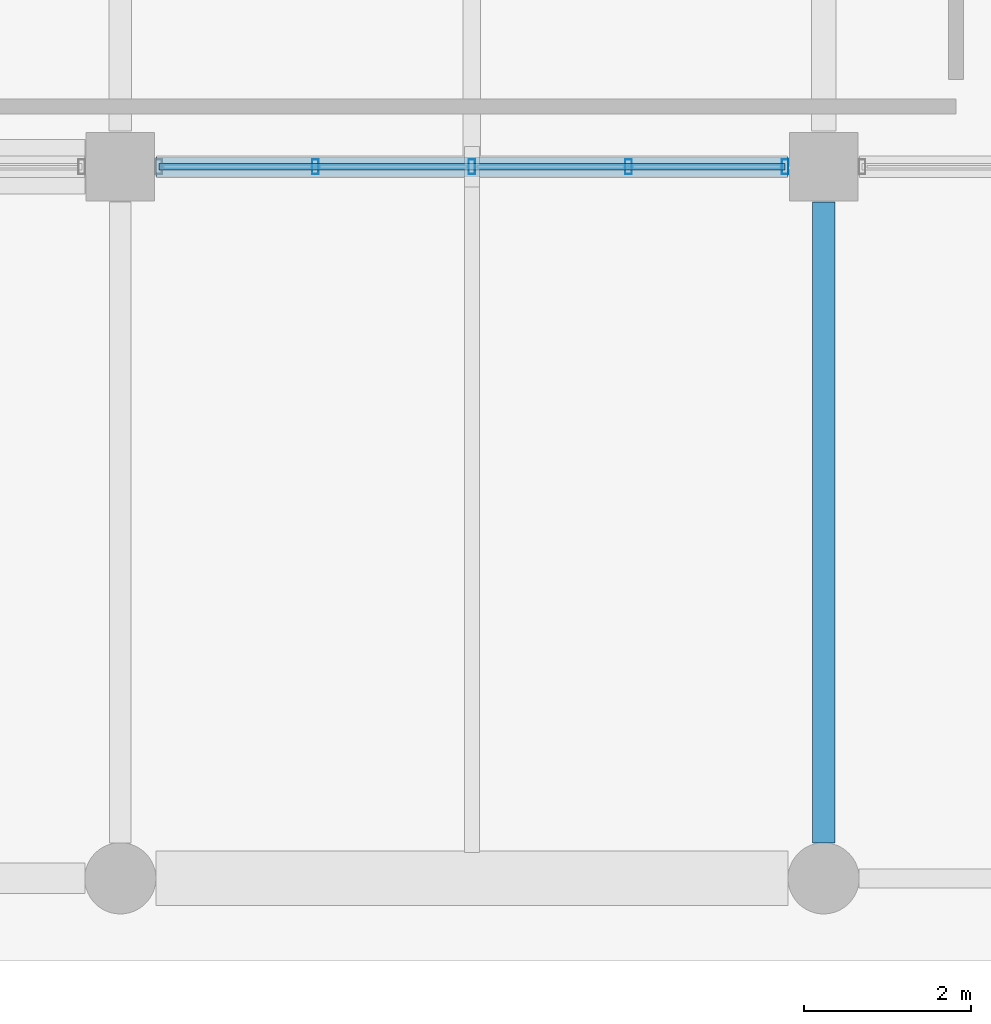
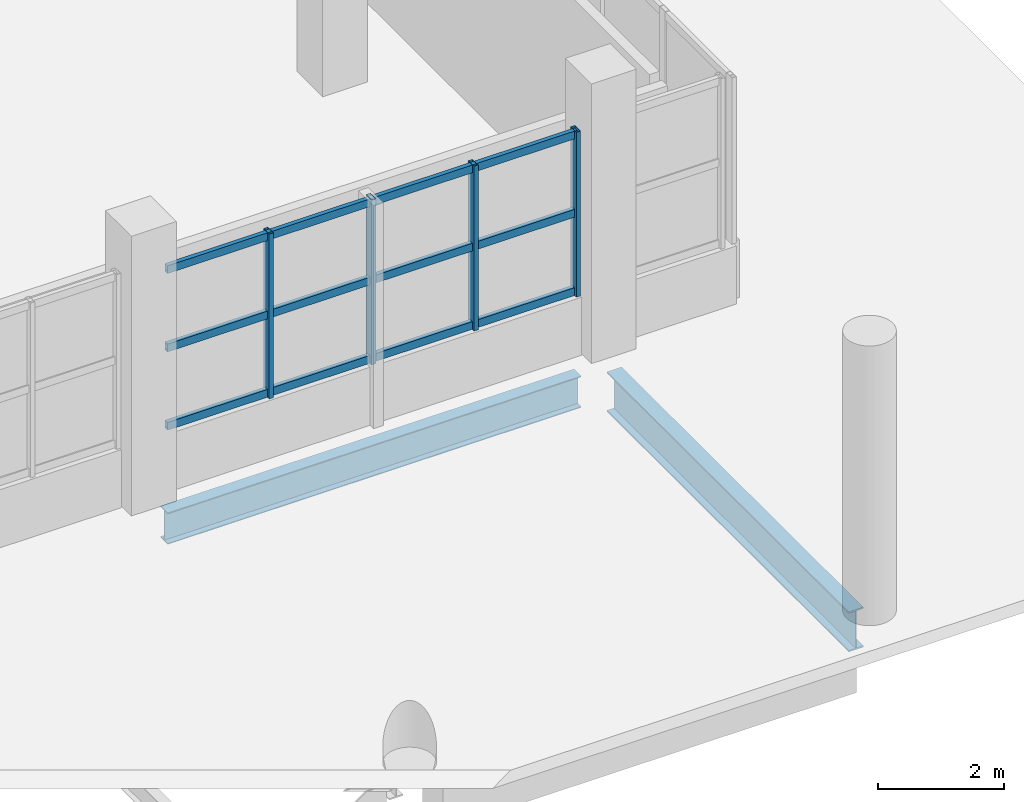
# One storey, part 20 of 107: 7 members, 2 beams, 1 element without a shape of its own.
"""IFC4 building model written with IfcOpenShell, lengths in metres."""

from ifc_helpers import new_model, si_unit, direction, frame, origin, origin_2d, place, context, subcontext, project, spatial, hollow_rectangle, i_section, extrude, material, material_profile, profile_set, type_object, element, aggregate, save


model = new_model("IFC4")

# Units and contexts
model_context = context("Model", 3, precision=1e-05, world=origin(), true_north=direction((0.0, 1.0)))
body_context = subcontext(model_context, "Body", "Model", "MODEL_VIEW")
ifc_project = project(units=[si_unit("LENGTHUNIT", "METRE"), si_unit("AREAUNIT", "SQUARE_METRE"), si_unit("VOLUMEUNIT", "CUBIC_METRE"), si_unit("PLANEANGLEUNIT", "RADIAN"), si_unit("MASSUNIT", "GRAM", prefix="KILO")], contexts=[model_context])

# Site, building, storey
site_placement = place(None, origin())
site = spatial("IfcSite", under=ifc_project, at=site_placement, CompositionType="ELEMENT")
building_placement = place(site_placement, origin())
building = spatial("IfcBuilding", under=site, at=building_placement, Name="Solvento Point Concert Hall", CompositionType="ELEMENT")
storey_placement = place(building_placement, origin())
storey = spatial("IfcBuildingStorey", under=building, at=storey_placement, Name="L00", CompositionType="ELEMENT", Elevation=0.0)

# Beams
ifc_material_1 = material(Name="Structural Steel ASTM A992 Grade 50", Category="steel")
ifc_material_profile_1 = material_profile(ifc_material_1, i_section(OverallWidth=0.228515625, OverallDepth=0.60791015625, WebThickness=0.01123046875, FlangeThickness=0.017333984375, at=origin_2d()), Name="W24X76")
ifc_profile_set_1 = profile_set([ifc_material_profile_1], Name="Structural Steel ASTM A992 Grade 50")
beam_type_1 = type_object("IfcBeamType", Name="Beam_W24X76", PredefinedType="BEAM", material=ifc_profile_set_1)
beam_1_placement = place(storey_placement, frame((7.6240234375, 110.5, -0.718017578125), z_axis=(1.0, 0.0, 0.0), x_axis=(0.0, 1.0, 0.0)))
element("IfcBeam", 1, at=beam_1_placement, inside=storey, type_object=beam_type_1, Name="Primary girder B-42 L00", PredefinedType="BEAM", context=body_context, shape_type="SweptSolid", body=[
    extrude(i_section(OverallWidth=0.228515625, OverallDepth=0.60791015625, WebThickness=0.01123046875, FlangeThickness=0.017333984375, at=origin_2d()), origin(), (0.0, 0.0, 1.0), 7.552001953125),
])
ifc_material_2 = material(Name="Structural Steel ASTM A992 Grade 50", Category="steel")
ifc_material_profile_2 = material_profile(ifc_material_2, i_section(OverallWidth=0.26806640625, OverallDepth=0.77001953125, WebThickness=0.015625, FlangeThickness=0.025390625, at=origin_2d()), Name="W30X132")
ifc_profile_set_2 = profile_set([ifc_material_profile_2], Name="Structural Steel ASTM A992 Grade 50")
beam_type_2 = type_object("IfcBeamType", Name="Girder_W30X132", PredefinedType="USERDEFINED", material=ifc_profile_set_2)
beam_2_placement = place(storey_placement, frame((15.60009765625, 102.424072265625, -0.62890625), z_axis=(0.0, 1.0, 0.0), x_axis=(-1.0, 0.0, 0.0)))
element("IfcBeam", 2, at=beam_2_placement, inside=storey, type_object=beam_type_2, Name="Primary girder B-68 L00", ObjectType="GIRDER", PredefinedType="USERDEFINED", context=body_context, shape_type="SweptSolid", body=[
    extrude(i_section(OverallWidth=0.26806640625, OverallDepth=0.77001953125, WebThickness=0.015625, FlangeThickness=0.025390625, at=origin_2d()), origin(), (0.0, 0.0, 1.0), 7.65185546875),
])

# Curtain wall, members
ifc_material_3 = material(Name="Anodized Bronze Aluminium", Category="aluminium")
curtain_wall_type = type_object("IfcCurtainWallType", Name="CurtainWall_CourtPilotis", PredefinedType="USERDEFINED", material=ifc_material_3)
curtain_wall_placement = place(storey_placement, origin())
curtain_wall = element("IfcCurtainWall", 3, at=curtain_wall_placement, inside=storey, type_object=curtain_wall_type, Name="Unitised curtain wall CW-96 UCW-L00-068", ObjectType="UNITISED CURTAIN WALL", PredefinedType="USERDEFINED")
ifc_material_4 = material(Name="Anodized Bronze Aluminium", Category="aluminium")
ifc_material_profile_3 = material_profile(ifc_material_4, hollow_rectangle(XDim=0.080078125, YDim=0.179931640625, WallThickness=0.00390625, at=origin_2d()), Name="CW-MUL-80X180")
ifc_profile_set_3 = profile_set([ifc_material_profile_3], Name="Anodized Bronze Aluminium")
member_type_1 = type_object("IfcMemberType", Name="Mullion_80x180", PredefinedType="MULLION", material=ifc_profile_set_3)
member_1_placement = place(storey_placement, frame((9.530029296875, 110.5, 1.1201171875), z_axis=(0.0, 0.0, 1.0), x_axis=(1.0, 0.0, 0.0)))
member_1 = element("IfcMember", 4, at=member_1_placement, type_object=member_type_1, Name="Curtain wall mullion ML-01", PredefinedType="MULLION", context=body_context, shape_type="SweptSolid", body=[
    extrude(hollow_rectangle(XDim=0.080078125, YDim=0.179931640625, WallThickness=0.00390625, at=origin_2d()), origin(), (0.0, 0.0, 1.0), 3.183837890625),
])
member_2_placement = place(storey_placement, frame((11.39990234375, 110.5, 1.1201171875), z_axis=(0.0, 0.0, 1.0), x_axis=(1.0, 0.0, 0.0)))
member_2 = element("IfcMember", 5, at=member_2_placement, type_object=member_type_1, Name="Curtain wall mullion ML-01", PredefinedType="MULLION", context=body_context, shape_type="SweptSolid", body=[
    extrude(hollow_rectangle(XDim=0.080078125, YDim=0.179931640625, WallThickness=0.00390625, at=origin_2d()), origin(), (0.0, 0.0, 1.0), 3.183837890625),
])
member_3_placement = place(storey_placement, frame((13.27001953125, 110.5, 1.1201171875), z_axis=(0.0, 0.0, 1.0), x_axis=(1.0, 0.0, 0.0)))
member_3 = element("IfcMember", 6, at=member_3_placement, type_object=member_type_1, Name="Curtain wall mullion ML-01", PredefinedType="MULLION", context=body_context, shape_type="SweptSolid", body=[
    extrude(hollow_rectangle(XDim=0.080078125, YDim=0.179931640625, WallThickness=0.00390625, at=origin_2d()), origin(), (0.0, 0.0, 1.0), 3.183837890625),
])
member_4_placement = place(storey_placement, frame((15.139892578125, 110.5, 1.1201171875), z_axis=(0.0, 0.0, 1.0), x_axis=(1.0, 0.0, 0.0)))
member_4 = element("IfcMember", 7, at=member_4_placement, type_object=member_type_1, Name="Curtain wall mullion ML-01", PredefinedType="MULLION", context=body_context, shape_type="SweptSolid", body=[
    extrude(hollow_rectangle(XDim=0.080078125, YDim=0.179931640625, WallThickness=0.00390625, at=origin_2d()), origin(), (0.0, 0.0, 1.0), 3.183837890625),
])
ifc_material_5 = material(Name="Anodized Bronze Aluminium", Category="aluminium")
ifc_material_profile_4 = material_profile(ifc_material_5, hollow_rectangle(XDim=0.080078125, YDim=0.14990234375, WallThickness=0.00390625, at=origin_2d()), Name="CW-TRN-80X150")
ifc_profile_set_4 = profile_set([ifc_material_profile_4], Name="Anodized Bronze Aluminium")
member_type_2 = type_object("IfcMemberType", Name="Transom_80x150", PredefinedType="USERDEFINED", material=ifc_profile_set_4)
member_5_placement = place(storey_placement, frame((7.659912109375, 110.5, 1.199951171875), z_axis=(1.0, 0.0, 0.0), x_axis=(0.0, 1.0, 0.0)))
member_5 = element("IfcMember", 8, at=member_5_placement, type_object=member_type_2, Name="Curtain wall transom TR-01", ObjectType="TRANSOM", PredefinedType="USERDEFINED", context=body_context, shape_type="SweptSolid", body=[
    extrude(hollow_rectangle(XDim=0.080078125, YDim=0.14990234375, WallThickness=0.00390625, at=origin_2d()), origin(), (0.0, 0.0, 1.0), 7.47998046875),
])
member_6_placement = place(storey_placement, frame((7.659912109375, 110.5, 2.7119140625), z_axis=(1.0, 0.0, 0.0), x_axis=(0.0, 1.0, 0.0)))
member_6 = element("IfcMember", 9, at=member_6_placement, type_object=member_type_2, Name="Curtain wall transom TR-01", ObjectType="TRANSOM", PredefinedType="USERDEFINED", context=body_context, shape_type="SweptSolid", body=[
    extrude(hollow_rectangle(XDim=0.080078125, YDim=0.14990234375, WallThickness=0.00390625, at=origin_2d()), origin(), (0.0, 0.0, 1.0), 7.47998046875),
])
member_7_placement = place(storey_placement, frame((7.659912109375, 110.5, 4.22412109375), z_axis=(1.0, 0.0, 0.0), x_axis=(0.0, 1.0, 0.0)))
member_7 = element("IfcMember", 10, at=member_7_placement, type_object=member_type_2, Name="Curtain wall transom TR-01", ObjectType="TRANSOM", PredefinedType="USERDEFINED", context=body_context, shape_type="SweptSolid", body=[
    extrude(hollow_rectangle(XDim=0.080078125, YDim=0.14990234375, WallThickness=0.00390625, at=origin_2d()), origin(), (0.0, 0.0, 1.0), 7.47998046875),
])
aggregate(curtain_wall, [member_1, member_2, member_3, member_4, member_5, member_6, member_7])

save(model, "model.ifc")
